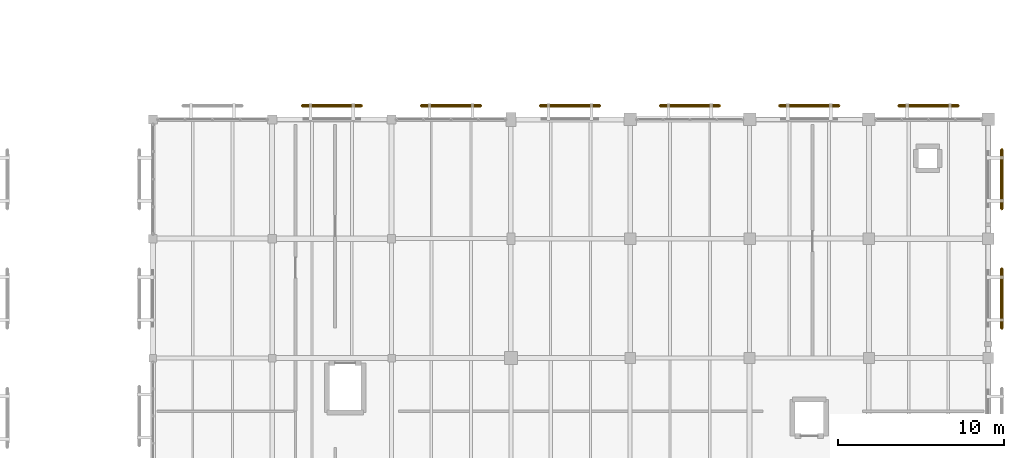
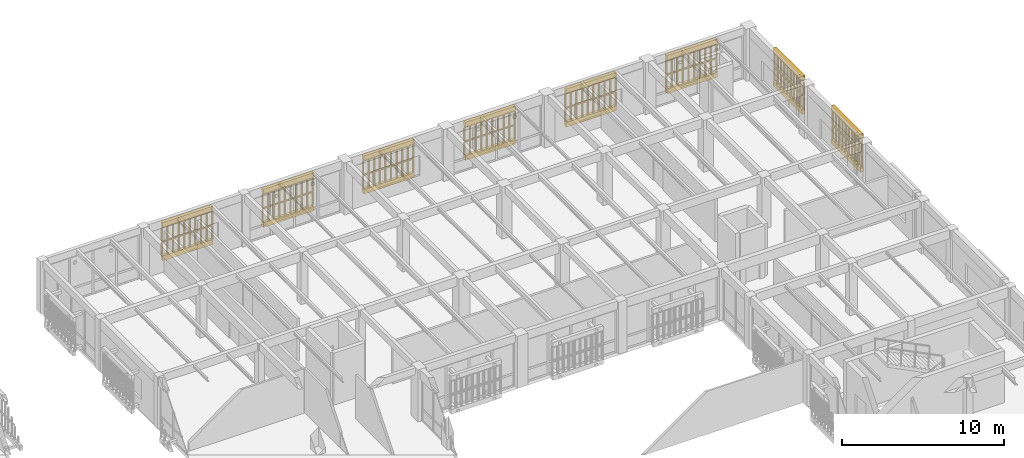
# One storey, part 170 of 170: 16 coverings, 16 railings.
"""IFC4 building model written with IfcOpenShell, lengths in metres."""

from ifc_helpers import new_model, si_unit, direction, frame, origin, origin_2d, place, context, subcontext, project, spatial, polyline, circle, outline, extrude, material, layer, layer_set, type_object, element, save


model = new_model("IFC4")

# Units and contexts
model_context = context("Model", 3, precision=1e-05, world=origin(), true_north=direction((0.0, 1.0)))
body_context = subcontext(model_context, "Body", "Model", "MODEL_VIEW")
ifc_project = project(units=[si_unit("LENGTHUNIT", "METRE"), si_unit("AREAUNIT", "SQUARE_METRE"), si_unit("VOLUMEUNIT", "CUBIC_METRE"), si_unit("PLANEANGLEUNIT", "RADIAN"), si_unit("MASSUNIT", "GRAM", prefix="KILO")], contexts=[model_context])

# Site, building, storey
site_placement = place(None, origin())
site = spatial("IfcSite", under=ifc_project, at=site_placement, CompositionType="ELEMENT")
building_placement = place(site_placement, origin())
building = spatial("IfcBuilding", under=site, at=building_placement, Name="Mazaris Harbour Polytechnic", CompositionType="ELEMENT")
storey_placement = place(building_placement, frame((0.0, 0.0, 5.39990234375)))
storey = spatial("IfcBuildingStorey", under=building, at=storey_placement, Name="L01", CompositionType="ELEMENT", Elevation=5.39990234375)

# Railings
ifc_material_1 = material(Name="Perforated Earth-Coloured Terracotta Block", Category="masonry")
railing_type = type_object("IfcRailingType", Name="Perforated Earth-Block Claustra Lattice 1040", PredefinedType="BALUSTRADE", material=ifc_material_1)
for number, where, name in (
    (1, (131.39990234375, 108.820068359375, 0.52001953125), "V5 L01 Lower Perforated Terracotta Block Screen 373"),
    (2, (131.39990234375, 108.820068359375, 1.610107421875), "V5 L01 Upper Perforated Terracotta Block Screen 373"),
    (3, (138.58740234375, 108.820068359375, 0.52001953125), "V5 L01 Lower Perforated Terracotta Block Screen 374"),
    (4, (138.58740234375, 108.820068359375, 1.610107421875), "V5 L01 Upper Perforated Terracotta Block Screen 374"),
    (5, (145.762451171875, 108.820068359375, 0.52001953125), "V5 L01 Lower Perforated Terracotta Block Screen 375"),
    (6, (145.762451171875, 108.820068359375, 1.610107421875), "V5 L01 Upper Perforated Terracotta Block Screen 375"),
    (7, (153.0, 108.820068359375, 0.52001953125), "V5 L01 Lower Perforated Terracotta Block Screen 376"),
    (8, (153.0, 108.820068359375, 1.610107421875), "V5 L01 Upper Perforated Terracotta Block Screen 376"),
    (9, (160.199951171875, 108.820068359375, 0.52001953125), "V5 L01 Lower Perforated Terracotta Block Screen 377"),
    (10, (160.199951171875, 108.820068359375, 1.610107421875), "V5 L01 Upper Perforated Terracotta Block Screen 377"),
    (11, (167.39990234375, 108.820068359375, 0.52001953125), "V5 L01 Lower Perforated Terracotta Block Screen 378"),
    (12, (167.39990234375, 108.820068359375, 1.610107421875), "V5 L01 Upper Perforated Terracotta Block Screen 378"),
):
    element("IfcRailing", number, at=place(storey_placement, frame(where)), inside=storey, type_object=railing_type, Name=name, PredefinedType="BALUSTRADE", context=body_context, shape_type="SweptSolid", body=[
        extrude(circle(Radius=0.06982421875, at=origin_2d()), frame((0.0, 0.0, 1.02001953125), z_axis=(1.0, 0.0, 0.0), x_axis=(0.0, 1.0, 0.0)), (0.0, 0.0, 1.0), 3.60009765625),
        extrude(circle(Radius=0.074951171875, at=origin_2d()), origin(), (0.0, 0.0, 1.0), 0.9501953125),
        extrude(circle(Radius=0.074951171875, at=origin_2d()), frame((0.39990234375, 0.0, 0.0)), (0.0, 0.0, 1.0), 0.9501953125),
        extrude(circle(Radius=0.074951171875, at=origin_2d()), frame((0.800048828125, 0.0, 0.0)), (0.0, 0.0, 1.0), 0.9501953125),
        extrude(circle(Radius=0.074951171875, at=origin_2d()), frame((1.199951171875, 0.0, 0.0)), (0.0, 0.0, 1.0), 0.9501953125),
        extrude(circle(Radius=0.074951171875, at=origin_2d()), frame((1.60009765625, 0.0, 0.0)), (0.0, 0.0, 1.0), 0.9501953125),
        extrude(circle(Radius=0.074951171875, at=origin_2d()), frame((2.0, 0.0, 0.0)), (0.0, 0.0, 1.0), 0.9501953125),
        extrude(circle(Radius=0.074951171875, at=origin_2d()), frame((2.400146484375, 0.0, 0.0)), (0.0, 0.0, 1.0), 0.9501953125),
        extrude(circle(Radius=0.074951171875, at=origin_2d()), frame((2.800048828125, 0.0, 0.0)), (0.0, 0.0, 1.0), 0.9501953125),
        extrude(circle(Radius=0.074951171875, at=origin_2d()), frame((3.2001953125, 0.0, 0.0)), (0.0, 0.0, 1.0), 0.9501953125),
        extrude(circle(Radius=0.074951171875, at=origin_2d()), frame((3.60009765625, 0.0, 0.0)), (0.0, 0.0, 1.0), 0.9501953125),
    ])
for number, where, name in (
    (13, (173.6201171875, 98.987548828125, 0.52001953125), "V5 L01 Lower Perforated Terracotta Block Screen 392"),
    (14, (173.6201171875, 98.987548828125, 1.610107421875), "V5 L01 Upper Perforated Terracotta Block Screen 392"),
    (15, (173.6201171875, 106.1875, 0.52001953125), "V5 L01 Lower Perforated Terracotta Block Screen 393"),
    (16, (173.6201171875, 106.1875, 1.610107421875), "V5 L01 Upper Perforated Terracotta Block Screen 393"),
):
    element("IfcRailing", number, at=place(storey_placement, frame(where)), inside=storey, type_object=railing_type, Name=name, PredefinedType="BALUSTRADE", context=body_context, shape_type="SweptSolid", body=[
        extrude(circle(Radius=0.06982421875, at=origin_2d()), frame((0.0, 0.0, 1.02001953125), z_axis=(0.0, -1.0, 0.0), x_axis=(1.0, 0.0, 0.0)), (0.0, 0.0, 1.0), 3.60009765625),
        extrude(circle(Radius=0.074951171875, at=origin_2d()), origin(), (0.0, 0.0, 1.0), 0.9501953125),
        extrude(circle(Radius=0.074951171875, at=origin_2d()), frame((0.0, -0.39990234375, 0.0)), (0.0, 0.0, 1.0), 0.9501953125),
        extrude(circle(Radius=0.074951171875, at=origin_2d()), frame((0.0, -0.800048828125, 0.0)), (0.0, 0.0, 1.0), 0.9501953125),
        extrude(circle(Radius=0.074951171875, at=origin_2d()), frame((0.0, -1.199951171875, 0.0)), (0.0, 0.0, 1.0), 0.9501953125),
        extrude(circle(Radius=0.074951171875, at=origin_2d()), frame((0.0, -1.60009765625, 0.0)), (0.0, 0.0, 1.0), 0.9501953125),
        extrude(circle(Radius=0.074951171875, at=origin_2d()), frame((0.0, -2.0, 0.0)), (0.0, 0.0, 1.0), 0.9501953125),
        extrude(circle(Radius=0.074951171875, at=origin_2d()), frame((0.0, -2.400146484375, 0.0)), (0.0, 0.0, 1.0), 0.9501953125),
        extrude(circle(Radius=0.074951171875, at=origin_2d()), frame((0.0, -2.800048828125, 0.0)), (0.0, 0.0, 1.0), 0.9501953125),
        extrude(circle(Radius=0.074951171875, at=origin_2d()), frame((0.0, -3.2001953125, 0.0)), (0.0, 0.0, 1.0), 0.9501953125),
        extrude(circle(Radius=0.074951171875, at=origin_2d()), frame((0.0, -3.60009765625, 0.0)), (0.0, 0.0, 1.0), 0.9501953125),
    ])

# Coverings
ifc_material_2 = material(Name="Perforated Earth-Coloured Terracotta Block", Category="masonry")
ifc_layer = layer(ifc_material_2, 0.219970703125, Name="Perforated Earth-Coloured Terracotta Block")
ifc_layer_set = layer_set([ifc_layer], Name="Perforated Earth-Coloured Terracotta Block")
covering_type = type_object("IfcCoveringType", Name="Terracotta Screen Course Cladding 220", PredefinedType="CLADDING", material=ifc_layer_set)
covering_1_placement = place(storey_placement, frame((0.0, 0.0, 0.16015625)))
element("IfcCovering", 17, at=covering_1_placement, inside=storey, type_object=covering_type, Name="V5 L01 Perforated Screen Sill Course 373", PredefinedType="CLADDING", context=body_context, shape_type="SweptSolid", body=[
    extrude(outline(polyline([(131.39990234375, 108.7099609375), (135.0, 108.7099609375), (135.0, 108.929931640625), (131.39990234375, 108.929931640625), (131.39990234375, 108.7099609375)])), origin(), (0.0, 0.0, 1.0), 0.35986328125),
])
covering_2_placement = place(storey_placement, frame((0.0, 0.0, 2.7001953125)))
element("IfcCovering", 18, at=covering_2_placement, inside=storey, type_object=covering_type, Name="V5 L01 Perforated Screen Lintel Course 373", PredefinedType="CLADDING", context=body_context, shape_type="SweptSolid", body=[
    extrude(outline(polyline([(131.39990234375, 108.7099609375), (135.0, 108.7099609375), (135.0, 108.929931640625), (131.39990234375, 108.929931640625), (131.39990234375, 108.7099609375)])), origin(), (0.0, 0.0, 1.0), 0.33984375),
])
covering_3_placement = place(storey_placement, frame((0.0, 0.0, 0.16015625)))
element("IfcCovering", 19, at=covering_3_placement, inside=storey, type_object=covering_type, Name="V5 L01 Perforated Screen Sill Course 374", PredefinedType="CLADDING", context=body_context, shape_type="SweptSolid", body=[
    extrude(outline(polyline([(138.58740234375, 108.7099609375), (142.1875, 108.7099609375), (142.1875, 108.929931640625), (138.58740234375, 108.929931640625), (138.58740234375, 108.7099609375)])), origin(), (0.0, 0.0, 1.0), 0.35986328125),
])
covering_4_placement = place(storey_placement, frame((0.0, 0.0, 2.7001953125)))
element("IfcCovering", 20, at=covering_4_placement, inside=storey, type_object=covering_type, Name="V5 L01 Perforated Screen Lintel Course 374", PredefinedType="CLADDING", context=body_context, shape_type="SweptSolid", body=[
    extrude(outline(polyline([(138.58740234375, 108.7099609375), (142.1875, 108.7099609375), (142.1875, 108.929931640625), (138.58740234375, 108.929931640625), (138.58740234375, 108.7099609375)])), origin(), (0.0, 0.0, 1.0), 0.33984375),
])
covering_5_placement = place(storey_placement, frame((0.0, 0.0, 0.16015625)))
element("IfcCovering", 21, at=covering_5_placement, inside=storey, type_object=covering_type, Name="V5 L01 Perforated Screen Sill Course 375", PredefinedType="CLADDING", context=body_context, shape_type="SweptSolid", body=[
    extrude(outline(polyline([(145.762451171875, 108.7099609375), (149.362548828125, 108.7099609375), (149.362548828125, 108.929931640625), (145.762451171875, 108.929931640625), (145.762451171875, 108.7099609375)])), origin(), (0.0, 0.0, 1.0), 0.35986328125),
])
covering_6_placement = place(storey_placement, frame((0.0, 0.0, 2.7001953125)))
element("IfcCovering", 22, at=covering_6_placement, inside=storey, type_object=covering_type, Name="V5 L01 Perforated Screen Lintel Course 375", PredefinedType="CLADDING", context=body_context, shape_type="SweptSolid", body=[
    extrude(outline(polyline([(145.762451171875, 108.7099609375), (149.362548828125, 108.7099609375), (149.362548828125, 108.929931640625), (145.762451171875, 108.929931640625), (145.762451171875, 108.7099609375)])), origin(), (0.0, 0.0, 1.0), 0.33984375),
])
covering_7_placement = place(storey_placement, frame((0.0, 0.0, 0.16015625)))
element("IfcCovering", 23, at=covering_7_placement, inside=storey, type_object=covering_type, Name="V5 L01 Perforated Screen Sill Course 376", PredefinedType="CLADDING", context=body_context, shape_type="SweptSolid", body=[
    extrude(outline(polyline([(153.0, 108.7099609375), (156.60009765625, 108.7099609375), (156.60009765625, 108.929931640625), (153.0, 108.929931640625), (153.0, 108.7099609375)])), origin(), (0.0, 0.0, 1.0), 0.35986328125),
])
covering_8_placement = place(storey_placement, frame((0.0, 0.0, 2.7001953125)))
element("IfcCovering", 24, at=covering_8_placement, inside=storey, type_object=covering_type, Name="V5 L01 Perforated Screen Lintel Course 376", PredefinedType="CLADDING", context=body_context, shape_type="SweptSolid", body=[
    extrude(outline(polyline([(153.0, 108.7099609375), (156.60009765625, 108.7099609375), (156.60009765625, 108.929931640625), (153.0, 108.929931640625), (153.0, 108.7099609375)])), origin(), (0.0, 0.0, 1.0), 0.33984375),
])
covering_9_placement = place(storey_placement, frame((0.0, 0.0, 0.16015625)))
element("IfcCovering", 25, at=covering_9_placement, inside=storey, type_object=covering_type, Name="V5 L01 Perforated Screen Sill Course 377", PredefinedType="CLADDING", context=body_context, shape_type="SweptSolid", body=[
    extrude(outline(polyline([(160.199951171875, 108.7099609375), (163.800048828125, 108.7099609375), (163.800048828125, 108.929931640625), (160.199951171875, 108.929931640625), (160.199951171875, 108.7099609375)])), origin(), (0.0, 0.0, 1.0), 0.35986328125),
])
covering_10_placement = place(storey_placement, frame((0.0, 0.0, 2.7001953125)))
element("IfcCovering", 26, at=covering_10_placement, inside=storey, type_object=covering_type, Name="V5 L01 Perforated Screen Lintel Course 377", PredefinedType="CLADDING", context=body_context, shape_type="SweptSolid", body=[
    extrude(outline(polyline([(160.199951171875, 108.7099609375), (163.800048828125, 108.7099609375), (163.800048828125, 108.929931640625), (160.199951171875, 108.929931640625), (160.199951171875, 108.7099609375)])), origin(), (0.0, 0.0, 1.0), 0.33984375),
])
covering_11_placement = place(storey_placement, frame((0.0, 0.0, 0.16015625)))
element("IfcCovering", 27, at=covering_11_placement, inside=storey, type_object=covering_type, Name="V5 L01 Perforated Screen Sill Course 378", PredefinedType="CLADDING", context=body_context, shape_type="SweptSolid", body=[
    extrude(outline(polyline([(167.39990234375, 108.7099609375), (171.0, 108.7099609375), (171.0, 108.929931640625), (167.39990234375, 108.929931640625), (167.39990234375, 108.7099609375)])), origin(), (0.0, 0.0, 1.0), 0.35986328125),
])
covering_12_placement = place(storey_placement, frame((0.0, 0.0, 2.7001953125)))
element("IfcCovering", 28, at=covering_12_placement, inside=storey, type_object=covering_type, Name="V5 L01 Perforated Screen Lintel Course 378", PredefinedType="CLADDING", context=body_context, shape_type="SweptSolid", body=[
    extrude(outline(polyline([(167.39990234375, 108.7099609375), (171.0, 108.7099609375), (171.0, 108.929931640625), (167.39990234375, 108.929931640625), (167.39990234375, 108.7099609375)])), origin(), (0.0, 0.0, 1.0), 0.33984375),
])
covering_13_placement = place(storey_placement, frame((0.0, 0.0, 0.16015625)))
element("IfcCovering", 29, at=covering_13_placement, inside=storey, type_object=covering_type, Name="V5 L01 Perforated Screen Sill Course 392", PredefinedType="CLADDING", context=body_context, shape_type="SweptSolid", body=[
    extrude(outline(polyline([(173.510009765625, 98.987548828125), (173.510009765625, 95.387451171875), (173.72998046875, 95.387451171875), (173.72998046875, 98.987548828125), (173.510009765625, 98.987548828125)])), origin(), (0.0, 0.0, 1.0), 0.35986328125),
])
covering_14_placement = place(storey_placement, frame((0.0, 0.0, 2.7001953125)))
element("IfcCovering", 30, at=covering_14_placement, inside=storey, type_object=covering_type, Name="V5 L01 Perforated Screen Lintel Course 392", PredefinedType="CLADDING", context=body_context, shape_type="SweptSolid", body=[
    extrude(outline(polyline([(173.510009765625, 98.987548828125), (173.510009765625, 95.387451171875), (173.72998046875, 95.387451171875), (173.72998046875, 98.987548828125), (173.510009765625, 98.987548828125)])), origin(), (0.0, 0.0, 1.0), 0.33984375),
])
covering_15_placement = place(storey_placement, frame((0.0, 0.0, 0.16015625)))
element("IfcCovering", 31, at=covering_15_placement, inside=storey, type_object=covering_type, Name="V5 L01 Perforated Screen Sill Course 393", PredefinedType="CLADDING", context=body_context, shape_type="SweptSolid", body=[
    extrude(outline(polyline([(173.510009765625, 106.1875), (173.510009765625, 102.58740234375), (173.72998046875, 102.58740234375), (173.72998046875, 106.1875), (173.510009765625, 106.1875)])), origin(), (0.0, 0.0, 1.0), 0.35986328125),
])
covering_16_placement = place(storey_placement, frame((0.0, 0.0, 2.7001953125)))
element("IfcCovering", 32, at=covering_16_placement, inside=storey, type_object=covering_type, Name="V5 L01 Perforated Screen Lintel Course 393", PredefinedType="CLADDING", context=body_context, shape_type="SweptSolid", body=[
    extrude(outline(polyline([(173.510009765625, 106.1875), (173.510009765625, 102.58740234375), (173.72998046875, 102.58740234375), (173.72998046875, 106.1875), (173.510009765625, 106.1875)])), origin(), (0.0, 0.0, 1.0), 0.33984375),
])

save(model, "model.ifc")
